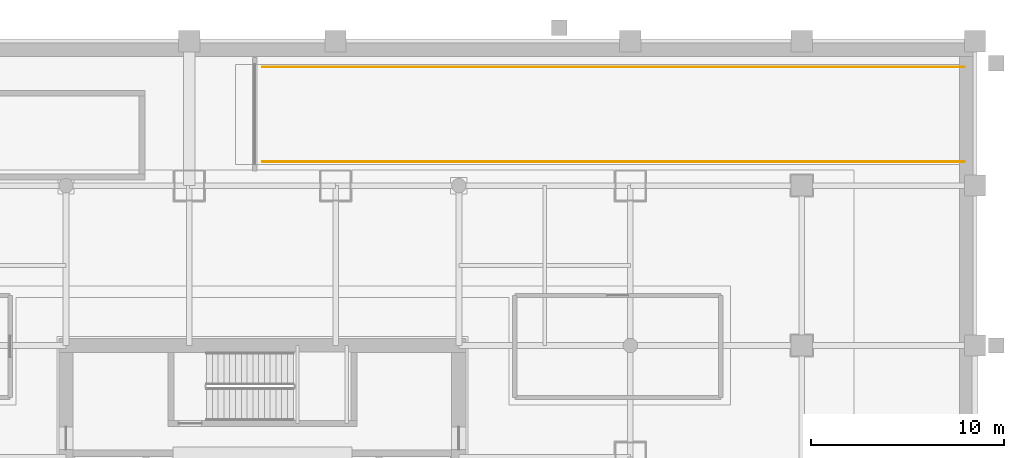
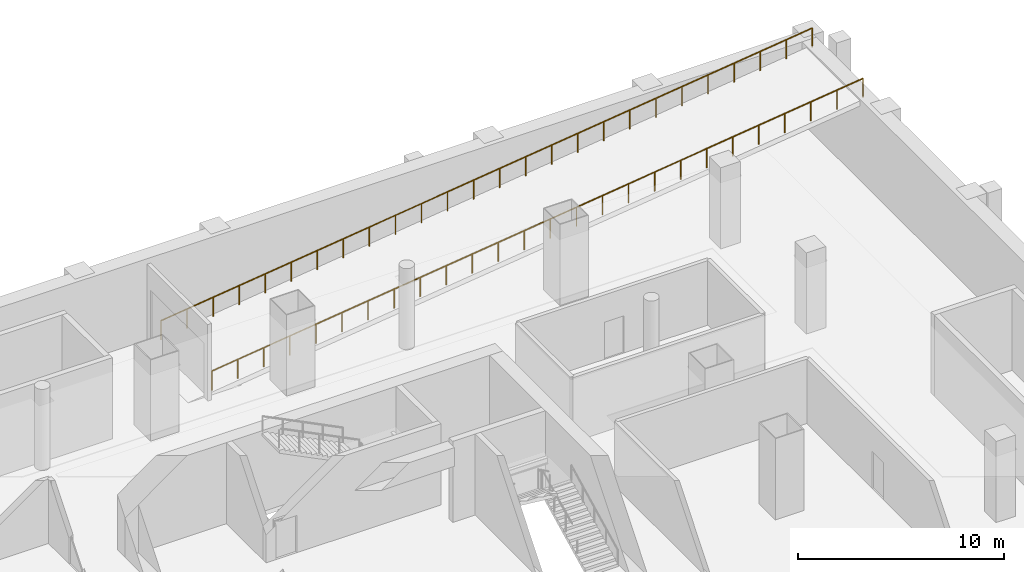
# One storey, part 11 of 12: 2 railings.
"""IFC4 building model written with IfcOpenShell, lengths in metres."""

from ifc_helpers import new_model, si_unit, direction, frame, origin, origin_2d, place, context, subcontext, project, spatial, circle, extrude, material, type_object, element, save


model = new_model("IFC4")

# Units and contexts
model_context = context("Model", 3, precision=1e-05, world=origin(), true_north=direction((0.0, 1.0)))
body_context = subcontext(model_context, "Body", "Model", "MODEL_VIEW")
ifc_project = project(units=[si_unit("LENGTHUNIT", "METRE"), si_unit("AREAUNIT", "SQUARE_METRE"), si_unit("VOLUMEUNIT", "CUBIC_METRE"), si_unit("PLANEANGLEUNIT", "RADIAN"), si_unit("MASSUNIT", "GRAM", prefix="KILO")], contexts=[model_context])

# Site, building, storey
site_placement = place(None, origin())
site = spatial("IfcSite", under=ifc_project, at=site_placement, CompositionType="ELEMENT")
building_placement = place(site_placement, origin())
building = spatial("IfcBuilding", under=site, at=building_placement, Name="Punatoya Terracotta Tower", CompositionType="ELEMENT")
storey_placement = place(building_placement, frame((0.0, 0.0, -4.800048828125)))
storey = spatial("IfcBuildingStorey", under=building, at=storey_placement, Name="B1", CompositionType="ELEMENT", Elevation=-4.800048828125)

# Railings
ifc_material = material(Name="Steel S355", Category="steel")
railing_type = type_object("IfcRailingType", Name="RLG-GRD-1150", PredefinedType="GUARDRAIL", material=ifc_material)
railing_1_placement = place(storey_placement, frame((0.0, 18.739990234375, 0.175048828125)))
element("IfcRailing", 1, at=railing_1_placement, inside=storey, type_object=railing_type, Name="VR-2 South Ramp Guard", PredefinedType="GUARDRAIL", context=body_context, shape_type="SweptSolid", body=[
    extrude(circle(Radius=0.02392578125, at=origin_2d()), frame((0.0, 0.0, 1.1259765625), z_axis=(0.992277365456, 0.0, 0.124038824584), x_axis=(0.0, 1.0, 0.0)), (0.0, 0.0, 1.0), 36.733642578125),
    extrude(circle(Radius=0.02099609375, at=origin_2d()), origin(), (0.0, 0.0, 1.0), 1.101806640625),
    extrude(circle(Radius=0.02099609375, at=origin_2d()), frame((1.4580078125, 0.0, 0.182373046875)), (0.0, 0.0, 1.0), 1.101806640625),
    extrude(circle(Radius=0.02099609375, at=origin_2d()), frame((2.916015625, 0.0, 0.364501953125)), (0.0, 0.0, 1.0), 1.101806640625),
    extrude(circle(Radius=0.02099609375, at=origin_2d()), frame((4.3740234375, 0.0, 0.546875)), (0.0, 0.0, 1.0), 1.101806640625),
    extrude(circle(Radius=0.02099609375, at=origin_2d()), frame((5.83203125, 0.0, 0.72900390625)), (0.0, 0.0, 1.0), 1.101806640625),
    extrude(circle(Radius=0.02099609375, at=origin_2d()), frame((7.2900390625, 0.0, 0.911376953125)), (0.0, 0.0, 1.0), 1.101806640625),
    extrude(circle(Radius=0.02099609375, at=origin_2d()), frame((8.748046875, 0.0, 1.093505859375)), (0.0, 0.0, 1.0), 1.101806640625),
    extrude(circle(Radius=0.02099609375, at=origin_2d()), frame((10.2060546875, 0.0, 1.27587890625)), (0.0, 0.0, 1.0), 1.101806640625),
    extrude(circle(Radius=0.02099609375, at=origin_2d()), frame((11.6640625, 0.0, 1.4580078125)), (0.0, 0.0, 1.0), 1.101806640625),
    extrude(circle(Radius=0.02099609375, at=origin_2d()), frame((13.1220703125, 0.0, 1.640380859375)), (0.0, 0.0, 1.0), 1.101806640625),
    extrude(circle(Radius=0.02099609375, at=origin_2d()), frame((14.580078125, 0.0, 1.822509765625)), (0.0, 0.0, 1.0), 1.101806640625),
    extrude(circle(Radius=0.02099609375, at=origin_2d()), frame((16.0380859375, 0.0, 2.0048828125)), (0.0, 0.0, 1.0), 1.101806640625),
    extrude(circle(Radius=0.02099609375, at=origin_2d()), frame((17.49609375, 0.0, 2.18701171875)), (0.0, 0.0, 1.0), 1.101806640625),
    extrude(circle(Radius=0.02099609375, at=origin_2d()), frame((18.953857421875, 0.0, 2.369384765625)), (0.0, 0.0, 1.0), 1.101806640625),
    extrude(circle(Radius=0.02099609375, at=origin_2d()), frame((20.411865234375, 0.0, 2.551513671875)), (0.0, 0.0, 1.0), 1.101806640625),
    extrude(circle(Radius=0.02099609375, at=origin_2d()), frame((21.869873046875, 0.0, 2.73388671875)), (0.0, 0.0, 1.0), 1.101806640625),
    extrude(circle(Radius=0.02099609375, at=origin_2d()), frame((23.327880859375, 0.0, 2.916015625)), (0.0, 0.0, 1.0), 1.101806640625),
    extrude(circle(Radius=0.02099609375, at=origin_2d()), frame((24.785888671875, 0.0, 3.098388671875)), (0.0, 0.0, 1.0), 1.101806640625),
    extrude(circle(Radius=0.02099609375, at=origin_2d()), frame((26.243896484375, 0.0, 3.280517578125)), (0.0, 0.0, 1.0), 1.101806640625),
    extrude(circle(Radius=0.02099609375, at=origin_2d()), frame((27.701904296875, 0.0, 3.462890625)), (0.0, 0.0, 1.0), 1.101806640625),
    extrude(circle(Radius=0.02099609375, at=origin_2d()), frame((29.159912109375, 0.0, 3.64501953125)), (0.0, 0.0, 1.0), 1.101806640625),
    extrude(circle(Radius=0.02099609375, at=origin_2d()), frame((30.617919921875, 0.0, 3.827392578125)), (0.0, 0.0, 1.0), 1.101806640625),
    extrude(circle(Radius=0.02099609375, at=origin_2d()), frame((32.075927734375, 0.0, 4.009521484375)), (0.0, 0.0, 1.0), 1.101806640625),
    extrude(circle(Radius=0.02099609375, at=origin_2d()), frame((33.533935546875, 0.0, 4.19189453125)), (0.0, 0.0, 1.0), 1.101806640625),
    extrude(circle(Radius=0.02099609375, at=origin_2d()), frame((34.991943359375, 0.0, 4.3740234375)), (0.0, 0.0, 1.0), 1.101806640625),
    extrude(circle(Radius=0.02099609375, at=origin_2d()), frame((36.449951171875, 0.0, 4.556396484375)), (0.0, 0.0, 1.0), 1.101806640625),
])
railing_2_placement = place(storey_placement, frame((0.0, 23.659912109375, 0.175048828125)))
element("IfcRailing", 2, at=railing_2_placement, inside=storey, type_object=railing_type, Name="VR-2 North Ramp Guard", PredefinedType="GUARDRAIL", context=body_context, shape_type="SweptSolid", body=[
    extrude(circle(Radius=0.02392578125, at=origin_2d()), frame((0.0, 0.0, 1.1259765625), z_axis=(0.992277365456, 0.0, 0.124038824584), x_axis=(0.0, 1.0, 0.0)), (0.0, 0.0, 1.0), 36.733642578125),
    extrude(circle(Radius=0.02099609375, at=origin_2d()), origin(), (0.0, 0.0, 1.0), 1.101806640625),
    extrude(circle(Radius=0.02099609375, at=origin_2d()), frame((1.4580078125, 0.0, 0.182373046875)), (0.0, 0.0, 1.0), 1.101806640625),
    extrude(circle(Radius=0.02099609375, at=origin_2d()), frame((2.916015625, 0.0, 0.364501953125)), (0.0, 0.0, 1.0), 1.101806640625),
    extrude(circle(Radius=0.02099609375, at=origin_2d()), frame((4.3740234375, 0.0, 0.546875)), (0.0, 0.0, 1.0), 1.101806640625),
    extrude(circle(Radius=0.02099609375, at=origin_2d()), frame((5.83203125, 0.0, 0.72900390625)), (0.0, 0.0, 1.0), 1.101806640625),
    extrude(circle(Radius=0.02099609375, at=origin_2d()), frame((7.2900390625, 0.0, 0.911376953125)), (0.0, 0.0, 1.0), 1.101806640625),
    extrude(circle(Radius=0.02099609375, at=origin_2d()), frame((8.748046875, 0.0, 1.093505859375)), (0.0, 0.0, 1.0), 1.101806640625),
    extrude(circle(Radius=0.02099609375, at=origin_2d()), frame((10.2060546875, 0.0, 1.27587890625)), (0.0, 0.0, 1.0), 1.101806640625),
    extrude(circle(Radius=0.02099609375, at=origin_2d()), frame((11.6640625, 0.0, 1.4580078125)), (0.0, 0.0, 1.0), 1.101806640625),
    extrude(circle(Radius=0.02099609375, at=origin_2d()), frame((13.1220703125, 0.0, 1.640380859375)), (0.0, 0.0, 1.0), 1.101806640625),
    extrude(circle(Radius=0.02099609375, at=origin_2d()), frame((14.580078125, 0.0, 1.822509765625)), (0.0, 0.0, 1.0), 1.101806640625),
    extrude(circle(Radius=0.02099609375, at=origin_2d()), frame((16.0380859375, 0.0, 2.0048828125)), (0.0, 0.0, 1.0), 1.101806640625),
    extrude(circle(Radius=0.02099609375, at=origin_2d()), frame((17.49609375, 0.0, 2.18701171875)), (0.0, 0.0, 1.0), 1.101806640625),
    extrude(circle(Radius=0.02099609375, at=origin_2d()), frame((18.953857421875, 0.0, 2.369384765625)), (0.0, 0.0, 1.0), 1.101806640625),
    extrude(circle(Radius=0.02099609375, at=origin_2d()), frame((20.411865234375, 0.0, 2.551513671875)), (0.0, 0.0, 1.0), 1.101806640625),
    extrude(circle(Radius=0.02099609375, at=origin_2d()), frame((21.869873046875, 0.0, 2.73388671875)), (0.0, 0.0, 1.0), 1.101806640625),
    extrude(circle(Radius=0.02099609375, at=origin_2d()), frame((23.327880859375, 0.0, 2.916015625)), (0.0, 0.0, 1.0), 1.101806640625),
    extrude(circle(Radius=0.02099609375, at=origin_2d()), frame((24.785888671875, 0.0, 3.098388671875)), (0.0, 0.0, 1.0), 1.101806640625),
    extrude(circle(Radius=0.02099609375, at=origin_2d()), frame((26.243896484375, 0.0, 3.280517578125)), (0.0, 0.0, 1.0), 1.101806640625),
    extrude(circle(Radius=0.02099609375, at=origin_2d()), frame((27.701904296875, 0.0, 3.462890625)), (0.0, 0.0, 1.0), 1.101806640625),
    extrude(circle(Radius=0.02099609375, at=origin_2d()), frame((29.159912109375, 0.0, 3.64501953125)), (0.0, 0.0, 1.0), 1.101806640625),
    extrude(circle(Radius=0.02099609375, at=origin_2d()), frame((30.617919921875, 0.0, 3.827392578125)), (0.0, 0.0, 1.0), 1.101806640625),
    extrude(circle(Radius=0.02099609375, at=origin_2d()), frame((32.075927734375, 0.0, 4.009521484375)), (0.0, 0.0, 1.0), 1.101806640625),
    extrude(circle(Radius=0.02099609375, at=origin_2d()), frame((33.533935546875, 0.0, 4.19189453125)), (0.0, 0.0, 1.0), 1.101806640625),
    extrude(circle(Radius=0.02099609375, at=origin_2d()), frame((34.991943359375, 0.0, 4.3740234375)), (0.0, 0.0, 1.0), 1.101806640625),
    extrude(circle(Radius=0.02099609375, at=origin_2d()), frame((36.449951171875, 0.0, 4.556396484375)), (0.0, 0.0, 1.0), 1.101806640625),
])

save(model, "model.ifc")
